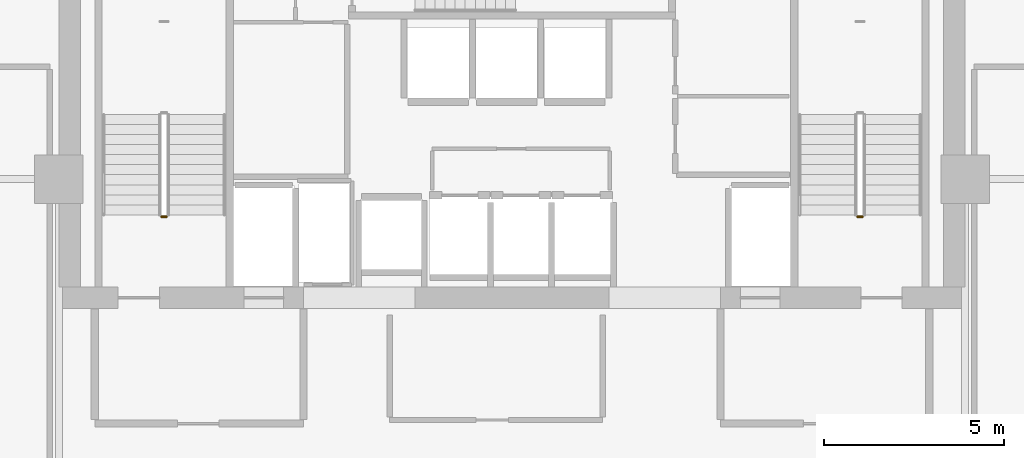
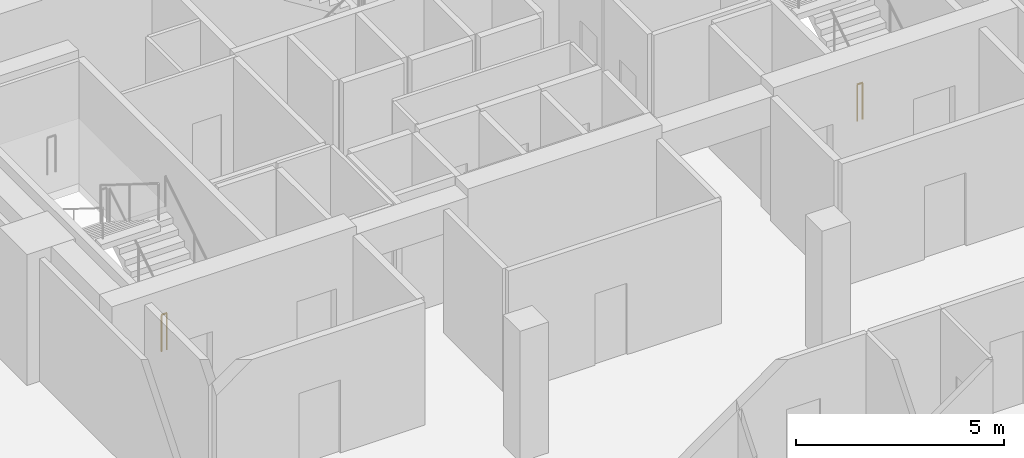
# One storey, part 22 of 24: 2 railings.
"""IFC4 building model written with IfcOpenShell, lengths in metres."""

from ifc_helpers import new_model, si_unit, direction, frame, origin, origin_2d, place, context, subcontext, project, spatial, circle, extrude, material, type_object, element, save


model = new_model("IFC4")

# Units and contexts
model_context = context("Model", 3, precision=1e-05, world=origin(), true_north=direction((0.0, 1.0)))
body_context = subcontext(model_context, "Body", "Model", "MODEL_VIEW")
ifc_project = project(units=[si_unit("LENGTHUNIT", "METRE"), si_unit("AREAUNIT", "SQUARE_METRE"), si_unit("VOLUMEUNIT", "CUBIC_METRE"), si_unit("PLANEANGLEUNIT", "RADIAN"), si_unit("MASSUNIT", "GRAM", prefix="KILO")], contexts=[model_context])

# Site, building, storey
site_placement = place(None, origin())
site = spatial("IfcSite", under=ifc_project, at=site_placement, CompositionType="ELEMENT")
building_placement = place(site_placement, origin())
building = spatial("IfcBuilding", under=site, at=building_placement, Name="Maruvema Waterfront Hotel and Observation Tower", CompositionType="ELEMENT")
storey_placement = place(building_placement, frame((0.0, 0.0, 329.699951171875)))
storey = spatial("IfcBuildingStorey", under=building, at=storey_placement, Name="L81", CompositionType="ELEMENT", Elevation=329.699951171875)

# Railings
ifc_material = material(Name="Brushed stainless steel Grade 316", Category="steel")
railing_type = type_object("IfcRailingType", Name="Ramp and Terrace Guard Balustrade 1100 mm", PredefinedType="BALUSTRADE", material=ifc_material)
railing_1_placement = place(storey_placement, frame((28.199951171875, 43.949951171875, 0.0)))
element("IfcRailing", 1, at=railing_1_placement, inside=storey, type_object=railing_type, Name="L81 ST-01 stair guard 4", PredefinedType="BALUSTRADE", context=body_context, shape_type="SweptSolid", body=[
    extrude(circle(Radius=0.02392578125, at=origin_2d()), frame((0.0, 0.0, 1.076171875), z_axis=(-1.0, 0.0, 0.0), x_axis=(0.0, -1.0, 0.0)), (0.0, 0.0, 1.0), 0.14990234375),
    extrude(circle(Radius=0.02099609375, at=origin_2d()), origin(), (0.0, 0.0, 1.0), 1.052001953125),
    extrude(circle(Radius=0.02099609375, at=origin_2d()), frame((-0.14990234375, 0.0, 0.0)), (0.0, 0.0, 1.0), 1.052001953125),
])
railing_2_placement = place(storey_placement, frame((47.550048828125, 43.949951171875, 0.0)))
element("IfcRailing", 2, at=railing_2_placement, inside=storey, type_object=railing_type, Name="L81 ST-03 stair guard 4", PredefinedType="BALUSTRADE", context=body_context, shape_type="SweptSolid", body=[
    extrude(circle(Radius=0.02392578125, at=origin_2d()), frame((0.0, 0.0, 1.076171875), z_axis=(-1.0, 0.0, 0.0), x_axis=(0.0, -1.0, 0.0)), (0.0, 0.0, 1.0), 0.150146484375),
    extrude(circle(Radius=0.02099609375, at=origin_2d()), origin(), (0.0, 0.0, 1.0), 1.052001953125),
    extrude(circle(Radius=0.02099609375, at=origin_2d()), frame((-0.150146484375, 0.0, 0.0)), (0.0, 0.0, 1.0), 1.052001953125),
])

save(model, "model.ifc")
